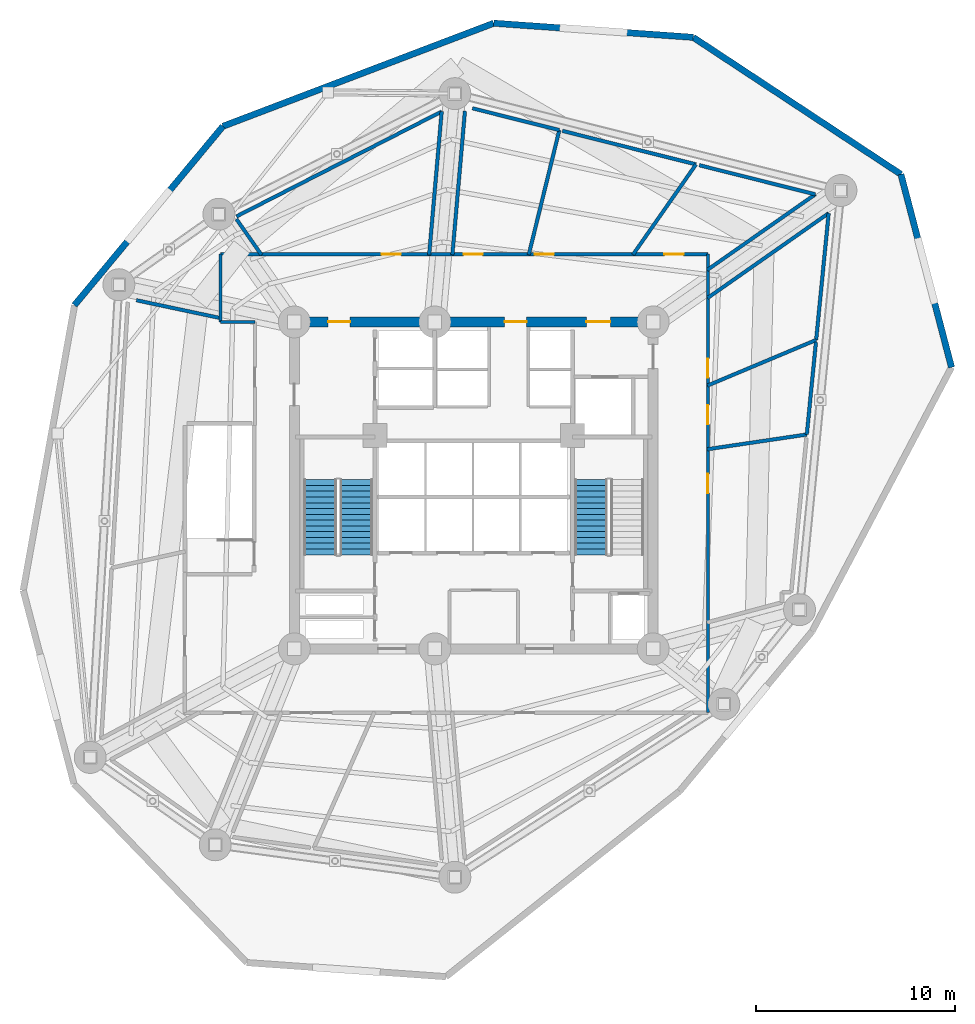
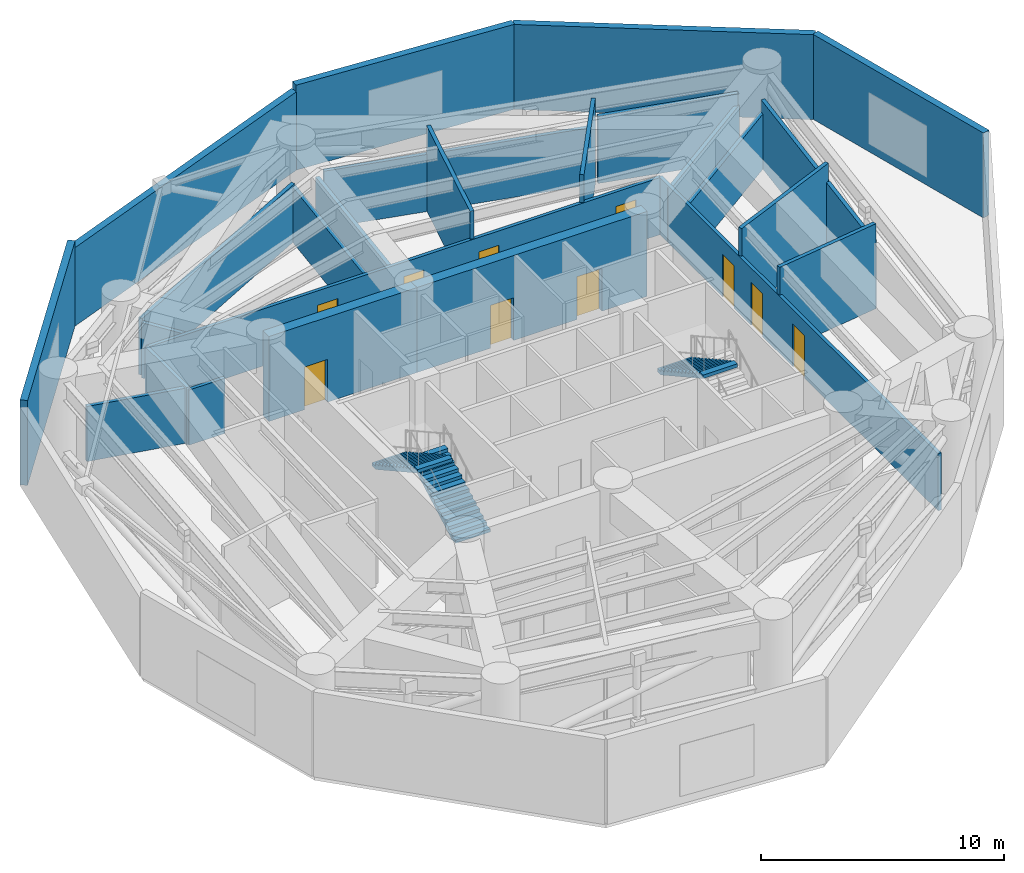
# One storey, part 9 of 13: 27 walls, 10 doors, 3 stair flights, 10 openings, 2 elements without a shape of their own.
"""IFC4 building model written with IfcOpenShell, lengths in metres."""

from ifc_helpers import new_model, si_unit, direction, frame, frame_2d, origin, origin_with_axes, place, context, subcontext, project, spatial, polyline, rectangle, outline, extrude, source, transform, mapped, material, layer, layer_set, type_object, element, fill, aggregate, save


model = new_model("IFC4")

# Units and contexts
model_context = context("Model", 3, precision=1e-05, world=origin(), true_north=direction((0.0, 1.0)))
body_context = subcontext(model_context, "Body", "Model", "MODEL_VIEW")
ifc_project = project(units=[si_unit("LENGTHUNIT", "METRE"), si_unit("AREAUNIT", "SQUARE_METRE"), si_unit("VOLUMEUNIT", "CUBIC_METRE"), si_unit("PLANEANGLEUNIT", "RADIAN"), si_unit("MASSUNIT", "GRAM", prefix="KILO")], contexts=[model_context])

# Site, building, storey
site_placement = place(None, origin())
site = spatial("IfcSite", under=ifc_project, at=site_placement, CompositionType="ELEMENT")
building_placement = place(site_placement, origin())
building = spatial("IfcBuilding", under=site, at=building_placement, Name="Karkom Vertical University and Central Library", CompositionType="ELEMENT")
storey_placement = place(building_placement, frame((0.0, 0.0, 87.699951171875)))
storey = spatial("IfcBuildingStorey", under=building, at=storey_placement, Name="P23", CompositionType="ELEMENT", Elevation=87.699951171875)

# Walls
ifc_material_1 = material(Name="Brick-faced precast concrete C45/55", Category="masonry")
ifc_layer_1 = layer(ifc_material_1, 0.320068359375)
ifc_layer_set_1 = layer_set([ifc_layer_1], Name="Brick-faced precast concrete C45/55")
wall_type_1 = type_object("IfcWallType", Name="ENV-WL-BRK-320", PredefinedType="SOLIDWALL", material=ifc_layer_set_1)
wall_1_placement = place(storey_placement, frame((15.914794921875, 44.517822265625, 0.0), z_axis=(0.0, 0.0, 1.0), x_axis=(-0.638496499315, -0.76962472697, 0.0)))
element("IfcWall", 1, at=wall_1_placement, inside=storey, type_object=wall_type_1, Name="Plant Level 23 Brick-Faced Precast Facade Wall 01", PredefinedType="SOLIDWALL", context=body_context, shape_type="SweptSolid", body=[
    extrude(rectangle(XDim=11.66259765625, YDim=0.320068359375, at=frame_2d((5.831298828125, 0.0))), origin(), (0.0, 0.0, 1.0), 4.275146484375),
])
wall_2_placement = place(storey_placement, frame((52.46826171875, 32.4248046875, 0.0), z_axis=(0.0, 0.0, 1.0), x_axis=(-0.253640865026, 0.96729846045, 0.0)))
element("IfcWall", 2, at=wall_2_placement, inside=storey, type_object=wall_type_1, Name="Plant Level 23 Brick-Faced Precast Facade Wall 09", PredefinedType="SOLIDWALL", context=body_context, shape_type="SweptSolid", body=[
    extrude(rectangle(XDim=10.010498046875, YDim=0.320068359375, at=frame_2d((5.00537109375, 0.0))), origin(), (0.0, 0.0, 1.0), 4.275146484375),
])
wall_3_placement = place(storey_placement, frame((49.92919921875, 42.10791015625, 0.0), z_axis=(0.0, 0.0, 1.0), x_axis=(-0.834787406888, 0.550572416038, 0.0)))
element("IfcWall", 3, at=wall_3_placement, inside=storey, type_object=wall_type_1, Name="Plant Level 23 Brick-Faced Precast Facade Wall 10", PredefinedType="SOLIDWALL", context=body_context, shape_type="SweptSolid", body=[
    extrude(rectangle(XDim=12.482177734375, YDim=0.320068359375, at=frame_2d((6.2412109375, 0.0))), origin(), (0.0, 0.0, 1.0), 4.275146484375),
])
wall_4_placement = place(storey_placement, frame((39.50927734375, 48.980224609375, 0.0), z_axis=(0.0, 0.0, 1.0), x_axis=(-0.997499548158, 0.070672847854, 0.0)))
element("IfcWall", 4, at=wall_4_placement, inside=storey, type_object=wall_type_1, Name="Plant Level 23 Brick-Faced Precast Facade Wall 11", PredefinedType="SOLIDWALL", context=body_context, shape_type="SweptSolid", body=[
    extrude(rectangle(XDim=10.031982421875, YDim=0.320068359375, at=frame_2d((5.01611328125, 0.0))), origin(), (0.0, 0.0, 1.0), 4.275146484375),
])
wall_5_placement = place(storey_placement, frame((29.50244140625, 49.689208984375, 0.0), z_axis=(0.0, 0.0, 1.0), x_axis=(-0.934598887082, -0.355703416156, 0.0)))
element("IfcWall", 5, at=wall_5_placement, inside=storey, type_object=wall_type_1, Name="Plant Level 23 Brick-Faced Precast Facade Wall 12", PredefinedType="SOLIDWALL", context=body_context, shape_type="SweptSolid", body=[
    extrude(rectangle(XDim=14.53857421875, YDim=0.320068359375, at=frame_2d((7.269287109375, 0.0))), origin(), (0.0, 0.0, 1.0), 3.945068359375),
])

# Wall, openings, doors
ifc_material_2 = material(Name="Insulated metal-stud drywall 160mm", Category="gypsum")
ifc_layer_2 = layer(ifc_material_2, 0.159912109375)
ifc_layer_set_2 = layer_set([ifc_layer_2], Name="Insulated metal-stud drywall 160mm")
wall_type_2 = type_object("IfcWallType", Name="INT-WL-COR-160F", PredefinedType="PARTITIONING", material=ifc_layer_set_2)
wall_6_placement = place(storey_placement, frame((15.800048828125, 38.10009765625, 0.0), z_axis=(0.0, 0.0, 1.0), x_axis=(1.0, 0.0, 0.0)))
wall_6 = element("IfcWall", 6, at=wall_6_placement, inside=storey, type_object=wall_type_2, Name="Plant Level 23 Interior Partition Wall P23-PCORW-CW-006", PredefinedType="PARTITIONING", context=body_context, shape_type="SweptSolid", body=[
    extrude(rectangle(XDim=24.449951171875, YDim=0.159912109375, at=frame_2d((12.22509765625, 0.0))), origin(), (0.0, 0.0, 1.0), 2.875),
])
opening_1_placement = place(wall_6_placement, frame((8.08251953125, 0.0, 0.0)))
opening_1 = element("IfcOpeningElement", 7, at=opening_1_placement, cuts=wall_6, Name="Opening FD-RM1", PredefinedType="OPENING", context=body_context, shape_type="SweptSolid", body=[
    extrude(rectangle(XDim=0.9599609375, YDim=2.14990234375, at=frame_2d((0.47998046875, 1.074951171875))), frame((0.0, 0.08984375, 0.0), z_axis=(0.0, -1.0, 0.0), x_axis=(1.0, 0.0, 0.0)), (0.0, 0.0, 1.0), 0.179931640625),
])
opening_2_placement = place(wall_6_placement, frame((22.26708984375, 0.0, 0.0)))
opening_2 = element("IfcOpeningElement", 8, at=opening_2_placement, cuts=wall_6, Name="Opening FD-RM1", PredefinedType="OPENING", context=body_context, shape_type="SweptSolid", body=[
    extrude(rectangle(XDim=0.9599609375, YDim=2.14990234375, at=frame_2d((0.47998046875, 1.074951171875))), frame((0.0, 0.08984375, 0.0), z_axis=(0.0, -1.0, 0.0), x_axis=(1.0, 0.0, 0.0)), (0.0, 0.0, 1.0), 0.179931640625),
])
opening_3_placement = place(wall_6_placement, frame((15.757568359375, 0.0, 0.0)))
opening_3 = element("IfcOpeningElement", 9, at=opening_3_placement, cuts=wall_6, Name="Opening FD-RM1", PredefinedType="OPENING", context=body_context, shape_type="SweptSolid", body=[
    extrude(rectangle(XDim=0.9599609375, YDim=2.14990234375, at=frame_2d((0.47998046875, 1.074951171875))), frame((0.0, 0.08984375, 0.0), z_axis=(0.0, -1.0, 0.0), x_axis=(1.0, 0.0, 0.0)), (0.0, 0.0, 1.0), 0.179931640625),
])
opening_4_placement = place(wall_6_placement, frame((12.18994140625, 0.0, 0.0)))
opening_4 = element("IfcOpeningElement", 10, at=opening_4_placement, cuts=wall_6, Name="Opening FD-RM1", PredefinedType="OPENING", context=body_context, shape_type="SweptSolid", body=[
    extrude(rectangle(XDim=0.9599609375, YDim=2.14990234375, at=frame_2d((0.47998046875, 1.074951171875))), frame((0.0, 0.08984375, 0.0), z_axis=(0.0, -1.0, 0.0), x_axis=(1.0, 0.0, 0.0)), (0.0, 0.0, 1.0), 0.179931640625),
])
ifc_material_3 = material(Name="Fire-rated oak veneer door", Category="wood")
door_type_1 = type_object("IfcDoorType", Name="INT-DR-FRM1", OperationType="NOTDEFINED", PredefinedType="DOOR", material=ifc_material_3)
shared_shape_1 = source(origin_with_axes(), body_context, "Body", "SweptSolid", [
    extrude(rectangle(XDim=0.9599609375, YDim=2.14990234375, at=frame_2d((0.47998046875, 1.074951171875))), frame((0.0, 0.02490234375, 0.0), z_axis=(0.0, -1.0, 0.0), x_axis=(1.0, 0.0, 0.0)), (0.0, 0.0, 1.0), 0.050048828125),
])
door_1_placement = place(opening_1_placement, origin())
door_1 = element("IfcDoor", 11, at=door_1_placement, inside=storey, type_object=door_type_1, Name="Plant Level 23 Room Entry Door 711", OperationType="SINGLE_SWING_RIGHT", OverallHeight=2.14990234375, OverallWidth=0.9599609375, PredefinedType="DOOR", context=body_context, shape_type="MappedRepresentation", body=[
    mapped(shared_shape_1, transform((0.0, 0.0, 0.0), scale=1.0)),
])
fill(opening_1, door_1)
door_2_placement = place(opening_2_placement, origin())
door_2 = element("IfcDoor", 12, at=door_2_placement, inside=storey, type_object=door_type_1, Name="Plant Level 23 Room Entry Door 708", OperationType="SINGLE_SWING_LEFT", OverallHeight=2.14990234375, OverallWidth=0.9599609375, PredefinedType="DOOR", context=body_context, shape_type="MappedRepresentation", body=[
    mapped(shared_shape_1, transform((0.0, 0.0, 0.0), scale=1.0)),
])
fill(opening_2, door_2)
door_3_placement = place(opening_3_placement, origin())
door_3 = element("IfcDoor", 13, at=door_3_placement, inside=storey, type_object=door_type_1, Name="Plant Level 23 Room Entry Door 709", OperationType="SINGLE_SWING_RIGHT", OverallHeight=2.14990234375, OverallWidth=0.9599609375, PredefinedType="DOOR", context=body_context, shape_type="MappedRepresentation", body=[
    mapped(shared_shape_1, transform((0.0, 0.0, 0.0), scale=1.0)),
])
fill(opening_3, door_3)
door_4_placement = place(opening_4_placement, origin())
door_4 = element("IfcDoor", 14, at=door_4_placement, inside=storey, type_object=door_type_1, Name="Plant Level 23 Room Entry Door 710", OperationType="SINGLE_SWING_LEFT", OverallHeight=2.14990234375, OverallWidth=0.9599609375, PredefinedType="DOOR", context=body_context, shape_type="MappedRepresentation", body=[
    mapped(shared_shape_1, transform((0.0, 0.0, 0.0), scale=1.0)),
])
fill(opening_4, door_4)

wall_7_placement = place(storey_placement, frame((40.25, 38.10009765625, 0.0), z_axis=(0.0, 0.0, 1.0), x_axis=(0.0, -1.0, 0.0)))
wall_7 = element("IfcWall", 15, at=wall_7_placement, inside=storey, type_object=wall_type_2, Name="Plant Level 23 Interior Partition Wall P23-PCORW-CW-007", PredefinedType="PARTITIONING", context=body_context, shape_type="SweptSolid", body=[
    extrude(rectangle(XDim=23.0, YDim=0.159912109375, at=frame_2d((11.5, 0.0))), origin(), (0.0, 0.0, 1.0), 2.875),
])
opening_5_placement = place(wall_7_placement, frame((11.02490234375, 0.0, 0.0)))
opening_5 = element("IfcOpeningElement", 16, at=opening_5_placement, cuts=wall_7, Name="Opening FD-RM1", PredefinedType="OPENING", context=body_context, shape_type="SweptSolid", body=[
    extrude(rectangle(XDim=0.9599609375, YDim=2.14990234375, at=frame_2d((0.47998046875, 1.074951171875))), frame((0.0, 0.08984375, 0.0), z_axis=(0.0, -1.0, 0.0), x_axis=(1.0, 0.0, 0.0)), (0.0, 0.0, 1.0), 0.179931640625),
])
opening_6_placement = place(wall_7_placement, frame((7.574951171875, 0.0, 0.0)))
opening_6 = element("IfcOpeningElement", 17, at=opening_6_placement, cuts=wall_7, Name="Opening FD-RM1", PredefinedType="OPENING", context=body_context, shape_type="SweptSolid", body=[
    extrude(rectangle(XDim=0.9599609375, YDim=2.14990234375, at=frame_2d((0.47998046875, 1.074951171875))), frame((0.0, 0.08984375, 0.0), z_axis=(0.0, -1.0, 0.0), x_axis=(1.0, 0.0, 0.0)), (0.0, 0.0, 1.0), 0.179931640625),
])
opening_7_placement = place(wall_7_placement, frame((5.235107421875, 0.0, 0.0)))
opening_7 = element("IfcOpeningElement", 18, at=opening_7_placement, cuts=wall_7, Name="Opening FD-RM1", PredefinedType="OPENING", context=body_context, shape_type="SweptSolid", body=[
    extrude(rectangle(XDim=0.9599609375, YDim=2.14990234375, at=frame_2d((0.47998046875, 1.074951171875))), frame((0.0, 0.08984375, 0.0), z_axis=(0.0, -1.0, 0.0), x_axis=(1.0, 0.0, 0.0)), (0.0, 0.0, 1.0), 0.179931640625),
])
door_5_placement = place(opening_5_placement, origin())
door_5 = element("IfcDoor", 19, at=door_5_placement, inside=storey, type_object=door_type_1, Name="Plant Level 23 Room Entry Door 705", OperationType="SINGLE_SWING_RIGHT", OverallHeight=2.14990234375, OverallWidth=0.9599609375, PredefinedType="DOOR", context=body_context, shape_type="MappedRepresentation", body=[
    mapped(shared_shape_1, transform((0.0, 0.0, 0.0), scale=1.0)),
])
fill(opening_5, door_5)
door_6_placement = place(opening_6_placement, origin())
door_6 = element("IfcDoor", 20, at=door_6_placement, inside=storey, type_object=door_type_1, Name="Plant Level 23 Room Entry Door 706", OperationType="SINGLE_SWING_LEFT", OverallHeight=2.14990234375, OverallWidth=0.9599609375, PredefinedType="DOOR", context=body_context, shape_type="MappedRepresentation", body=[
    mapped(shared_shape_1, transform((0.0, 0.0, 0.0), scale=1.0)),
])
fill(opening_6, door_6)
door_7_placement = place(opening_7_placement, origin())
door_7 = element("IfcDoor", 21, at=door_7_placement, inside=storey, type_object=door_type_1, Name="Plant Level 23 Room Entry Door 707", OperationType="SINGLE_SWING_RIGHT", OverallHeight=2.14990234375, OverallWidth=0.9599609375, PredefinedType="DOOR", context=body_context, shape_type="MappedRepresentation", body=[
    mapped(shared_shape_1, transform((0.0, 0.0, 0.0), scale=1.0)),
])
fill(opening_7, door_7)

# Walls
wall_8_placement = place(storey_placement, frame((15.800048828125, 34.699951171875, 0.0), z_axis=(0.0, 0.0, 1.0), x_axis=(0.0, 1.0, 0.0)))
element("IfcWall", 22, at=wall_8_placement, inside=storey, type_object=wall_type_2, Name="Plant Level 23 Interior Partition Wall P23-PCORW-CW-005", PredefinedType="PARTITIONING", context=body_context, shape_type="SweptSolid", body=[
    extrude(rectangle(XDim=3.400146484375, YDim=0.159912109375, at=frame_2d((1.7001953125, 0.0))), origin(), (0.0, 0.0, 1.0), 2.875),
])
wall_9_placement = place(storey_placement, frame((17.52001953125, 34.699951171875, 0.0), z_axis=(0.0, 0.0, 1.0), x_axis=(-1.0, 0.0, 0.0)))
element("IfcWall", 23, at=wall_9_placement, inside=storey, type_object=wall_type_2, Name="Plant Level 23 Interior Partition Wall P23-PCORW-CW-004", PredefinedType="PARTITIONING", context=body_context, shape_type="SweptSolid", body=[
    extrude(rectangle(XDim=1.719970703125, YDim=0.159912109375, at=frame_2d((0.85986328125, 0.0))), origin(), (0.0, 0.0, 1.0), 2.775146484375),
])
ifc_material_4 = material(Name="Twin-stud acoustic drywall 180mm", Category="gypsum")
ifc_layer_3 = layer(ifc_material_4, 0.179931640625)
ifc_layer_set_3 = layer_set([ifc_layer_3], Name="Twin-stud acoustic drywall 180mm")
wall_type_3 = type_object("IfcWallType", Name="INT-WL-TEN-180F", PredefinedType="PARTITIONING", material=ifc_layer_set_3)
wall_10_placement = place(storey_placement, frame((16.593994140625, 39.994140625, 0.0), z_axis=(0.0, 0.0, 1.0), x_axis=(0.890452933606, 0.455075348742, 0.0)))
element("IfcWall", 24, at=wall_10_placement, inside=storey, type_object=wall_type_3, Name="Plant Level 23 Interior Partition Wall P23-PLCHW-037", PredefinedType="PARTITIONING", context=body_context, shape_type="SweptSolid", body=[
    extrude(rectangle(XDim=11.56396484375, YDim=0.179931640625, at=frame_2d((5.781982421875, 0.0))), origin(), (0.0, 0.0, 1.0), 2.875),
])
wall_11_placement = place(storey_placement, frame((40.225341796875, 35.900390625, 0.0), z_axis=(0.0, 0.0, 1.0), x_axis=(0.819160824873, 0.573563896173, 0.0)))
element("IfcWall", 25, at=wall_11_placement, inside=storey, type_object=wall_type_3, Name="Plant Level 23 Interior Partition Wall P23-PLCHW-026", PredefinedType="PARTITIONING", context=body_context, shape_type="SweptSolid", body=[
    extrude(rectangle(XDim=7.421630859375, YDim=0.179931640625, at=frame_2d((3.7109375, 0.0))), origin(), (0.0, 0.0, 1.0), 2.775146484375),
])
wall_12_placement = place(storey_placement, frame((27.427001953125, 38.070068359375, 0.0), z_axis=(0.0, 0.0, 1.0), x_axis=(0.087114612943, 0.996198295628, 0.0)))
element("IfcWall", 26, at=wall_12_placement, inside=storey, type_object=wall_type_3, Name="Plant Level 23 Interior Partition Wall P23-PLCHW-035", PredefinedType="PARTITIONING", context=body_context, shape_type="SweptSolid", body=[
    extrude(rectangle(XDim=7.2333984375, YDim=0.179931640625, at=frame_2d((3.61669921875, 0.0))), origin(), (0.0, 0.0, 1.0), 2.775146484375),
])
wall_13_placement = place(storey_placement, frame((26.89111328125, 45.256591796875, 0.0), z_axis=(0.0, 0.0, 1.0), x_axis=(-0.087133852983, -0.996196612956, 0.0)))
element("IfcWall", 27, at=wall_13_placement, inside=storey, type_object=wall_type_3, Name="Plant Level 23 Interior Partition Wall P23-PLCHW-038", PredefinedType="PARTITIONING", context=body_context, shape_type="SweptSolid", body=[
    extrude(rectangle(XDim=7.22900390625, YDim=0.179931640625, at=frame_2d((3.614501953125, 0.0))), origin(), (0.0, 0.0, 1.0), 2.775146484375),
])
wall_14_placement = place(storey_placement, frame((32.948486328125, 44.286376953125, 0.0), z_axis=(0.0, 0.0, 1.0), x_axis=(0.969930091921, -0.243383682251, 0.0)))
element("IfcWall", 28, at=wall_14_placement, inside=storey, type_object=wall_type_3, Name="Plant Level 23 Interior Partition Wall P23-PLCHW-031", PredefinedType="PARTITIONING", context=body_context, shape_type="SweptSolid", body=[
    extrude(rectangle(XDim=6.908447265625, YDim=0.179931640625, at=frame_2d((3.4541015625, 0.0))), origin(), (0.0, 0.0, 1.0), 2.875),
])
wall_15_placement = place(storey_placement, frame((45.633544921875, 41.103271484375, 0.0), z_axis=(0.0, 0.0, 1.0), x_axis=(-0.819152178868, -0.573576244153, 0.0)))
element("IfcWall", 29, at=wall_15_placement, inside=storey, type_object=wall_type_3, Name="Plant Level 23 Interior Partition Wall P23-PLCHW-029", PredefinedType="PARTITIONING", context=body_context, shape_type="SweptSolid", body=[
    extrude(rectangle(XDim=6.6171875, YDim=0.179931640625, at=frame_2d((3.30859375, 0.0))), origin(), (0.0, 0.0, 1.0), 2.775146484375),
])
wall_16_placement = place(storey_placement, frame((32.793212890625, 44.3251953125, 0.0), z_axis=(0.0, 0.0, 1.0), x_axis=(-0.238376702806, -0.971172769161, 0.0)))
element("IfcWall", 30, at=wall_16_placement, inside=storey, type_object=wall_type_3, Name="Plant Level 23 Interior Partition Wall P23-PLCHW-034", PredefinedType="PARTITIONING", context=body_context, shape_type="SweptSolid", body=[
    extrude(rectangle(XDim=6.43994140625, YDim=0.179931640625, at=frame_2d((3.219970703125, 0.0))), origin(), (0.0, 0.0, 1.0), 4.275146484375),
])
wall_17_placement = place(storey_placement, frame((46.304931640625, 40.1572265625, 0.0), z_axis=(0.0, 0.0, 1.0), x_axis=(-0.098376435039, -0.995149273742, 0.0)))
element("IfcWall", 31, at=wall_17_placement, inside=storey, type_object=wall_type_3, Name="Plant Level 23 Interior Partition Wall P23-PLCHW-024", PredefinedType="PARTITIONING", context=body_context, shape_type="SweptSolid", body=[
    extrude(rectangle(XDim=6.390380859375, YDim=0.179931640625, at=frame_2d((3.1953125, 0.0))), origin(), (0.0, 0.0, 1.0), 3.375),
])
wall_18_placement = place(storey_placement, frame((39.815185546875, 42.563232421875, 0.0), z_axis=(0.0, 0.0, 1.0), x_axis=(0.969931458511, -0.243378236065, 0.0)))
element("IfcWall", 32, at=wall_18_placement, inside=storey, type_object=wall_type_3, Name="Plant Level 23 Interior Partition Wall P23-PLCHW-028", PredefinedType="PARTITIONING", context=body_context, shape_type="SweptSolid", body=[
    extrude(rectangle(XDim=5.998779296875, YDim=0.179931640625, at=frame_2d((2.99951171875, 0.0))), origin(), (0.0, 0.0, 1.0), 3.375),
])
wall_19_placement = place(storey_placement, frame((45.67626953125, 33.7978515625, 0.0), z_axis=(0.0, 0.0, 1.0), x_axis=(-0.922031905303, -0.387113892289, 0.0)))
element("IfcWall", 33, at=wall_19_placement, inside=storey, type_object=wall_type_3, Name="Plant Level 23 Interior Partition Wall P23-PLCHW-025", PredefinedType="PARTITIONING", context=body_context, shape_type="SweptSolid", body=[
    extrude(rectangle(XDim=5.9150390625, YDim=0.179931640625, at=frame_2d((2.95751953125, 0.0))), origin(), (0.0, 0.0, 1.0), 4.275146484375),
])
wall_20_placement = place(storey_placement, frame((39.649169921875, 42.60498046875, 0.0), z_axis=(0.0, 0.0, 1.0), x_axis=(-0.572539603356, -0.819877065534, 0.0)))
element("IfcWall", 34, at=wall_20_placement, inside=storey, type_object=wall_type_3, Name="Plant Level 23 Interior Partition Wall P23-PLCHW-032", PredefinedType="PARTITIONING", context=body_context, shape_type="SweptSolid", body=[
    extrude(rectangle(XDim=5.524658203125, YDim=0.179931640625, at=frame_2d((2.76220703125, 0.0))), origin(), (0.0, 0.0, 1.0), 4.275146484375),
])
wall_21_placement = place(storey_placement, frame((45.207275390625, 29.0546875, 0.0), z_axis=(0.0, 0.0, 1.0), x_axis=(-0.989218234531, -0.146448914206, 0.0)))
element("IfcWall", 35, at=wall_21_placement, inside=storey, type_object=wall_type_3, Name="Plant Level 23 Interior Partition Wall P23-PLCHW-021", PredefinedType="PARTITIONING", context=body_context, shape_type="SweptSolid", body=[
    extrude(rectangle(XDim=5.05615234375, YDim=0.179931640625, at=frame_2d((2.528076171875, 0.0))), origin(), (0.0, 0.0, 1.0), 4.275146484375),
])
wall_22_placement = place(storey_placement, frame((45.66552734375, 33.688720703125, 0.0), z_axis=(0.0, 0.0, 1.0), x_axis=(-0.098408369439, -0.995146116319, 0.0)))
element("IfcWall", 36, at=wall_22_placement, inside=storey, type_object=wall_type_3, Name="Plant Level 23 Interior Partition Wall P23-PLCHW-023", PredefinedType="PARTITIONING", context=body_context, shape_type="SweptSolid", body=[
    extrude(rectangle(XDim=4.65673828125, YDim=0.179931640625, at=frame_2d((2.328369140625, 0.0))), origin(), (0.0, 0.0, 1.0), 3.375),
])
wall_23_placement = place(storey_placement, frame((28.431884765625, 45.419677734375, 0.0), z_axis=(0.0, 0.0, 1.0), x_axis=(0.969924931408, -0.243404246949, 0.0)))
element("IfcWall", 37, at=wall_23_placement, inside=storey, type_object=wall_type_3, Name="Plant Level 23 Interior Partition Wall P23-PLCHW-033", PredefinedType="PARTITIONING", context=body_context, shape_type="SweptSolid", body=[
    extrude(rectangle(XDim=4.49658203125, YDim=0.179931640625, at=frame_2d((2.248291015625, 0.0))), origin(), (0.0, 0.0, 1.0), 2.875),
])
wall_24_placement = place(storey_placement, frame((11.576904296875, 35.791015625, 0.0), z_axis=(0.0, 0.0, 1.0), x_axis=(0.978151143178, -0.20789502423, 0.0)))
element("IfcWall", 38, at=wall_24_placement, inside=storey, type_object=wall_type_3, Name="Plant Level 23 Interior Partition Wall P23-PLCHW-041", PredefinedType="PARTITIONING", context=body_context, shape_type="SweptSolid", body=[
    extrude(rectangle(XDim=4.347412109375, YDim=0.179931640625, at=frame_2d((2.173828125, 0.0))), origin(), (0.0, 0.0, 1.0), 2.775146484375),
])
wall_25_placement = place(storey_placement, frame((17.852783203125, 38.06298828125, 0.0), z_axis=(0.0, 0.0, 1.0), x_axis=(-0.573604197983, 0.819132604684, 0.0)))
element("IfcWall", 39, at=wall_25_placement, inside=storey, type_object=wall_type_3, Name="Plant Level 23 Interior Partition Wall P23-PLCHW-036", PredefinedType="PARTITIONING", context=body_context, shape_type="SweptSolid", body=[
    extrude(rectangle(XDim=2.194580078125, YDim=0.179931640625, at=frame_2d((1.09716796875, 0.0))), origin(), (0.0, 0.0, 1.0), 2.775146484375),
])

# Wall, openings, doors
ifc_material_5 = material(Name="Concrete C50/60", Category="concrete")
ifc_layer_4 = layer(ifc_material_5, 0.5)
ifc_layer_set_4 = layer_set([ifc_layer_4], Name="Concrete C50/60")
wall_type_4 = type_object("IfcWallType", Name="STR-WL-CW-500", PredefinedType="SHEAR", material=ifc_layer_set_4)
wall_26_placement = place(storey_placement, frame((37.5, 34.699951171875, 0.0), z_axis=(0.0, 0.0, 1.0), x_axis=(-1.0, 0.0, 0.0)))
wall_26 = element("IfcWall", 40, at=wall_26_placement, inside=storey, type_object=wall_type_4, Name="Plant Level 23 Central Core Shear Wall NW1", PredefinedType="SHEAR", context=body_context, shape_type="SweptSolid", body=[
    extrude(rectangle(XDim=10.949951171875, YDim=0.5, at=frame_2d((5.47509765625, 0.0))), origin(), (0.0, 0.0, 1.0), 4.275146484375),
])
opening_8_placement = place(wall_26_placement, frame((2.14990234375, 0.0, 0.0)))
opening_8 = element("IfcOpeningElement", 41, at=opening_8_placement, cuts=wall_26, Name="Opening FD-SUB1", PredefinedType="OPENING", context=body_context, shape_type="SweptSolid", body=[
    extrude(rectangle(XDim=1.199951171875, YDim=2.14990234375, at=frame_2d((0.60009765625, 1.074951171875))), frame((0.0, 0.260009765625, 0.0), z_axis=(0.0, -1.0, 0.0), x_axis=(1.0, 0.0, 0.0)), (0.0, 0.0, 1.0), 0.52001953125),
])
opening_9_placement = place(wall_26_placement, frame((6.35009765625, 0.0, 0.0)))
opening_9 = element("IfcOpeningElement", 42, at=opening_9_placement, cuts=wall_26, Name="Opening FD-FFL", PredefinedType="OPENING", context=body_context, shape_type="SweptSolid", body=[
    extrude(rectangle(XDim=1.10009765625, YDim=2.14990234375, at=frame_2d((0.550048828125, 1.074951171875))), frame((0.0, 0.260009765625, 0.0), z_axis=(0.0, -1.0, 0.0), x_axis=(1.0, 0.0, 0.0)), (0.0, 0.0, 1.0), 0.52001953125),
])
ifc_material_6 = material(Name="Painted steel smoke-seal fire door", Category="steel")
door_type_2 = type_object("IfcDoorType", Name="INT-DR-FFL", OperationType="NOTDEFINED", PredefinedType="DOOR", material=ifc_material_6)
shared_shape_2 = source(origin_with_axes(), body_context, "Body", "SweptSolid", [
    extrude(rectangle(XDim=1.10009765625, YDim=2.14990234375, at=frame_2d((0.550048828125, 1.074951171875))), frame((0.0, 0.02490234375, 0.0), z_axis=(0.0, -1.0, 0.0), x_axis=(1.0, 0.0, 0.0)), (0.0, 0.0, 1.0), 0.050048828125),
])
door_8_placement = place(opening_9_placement, origin())
door_8 = element("IfcDoor", 43, at=door_8_placement, inside=storey, type_object=door_type_2, Name="Plant Level 23 North Core Lobby Exit Door", OperationType="SINGLE_SWING_LEFT", OverallHeight=2.14990234375, OverallWidth=1.10009765625, PredefinedType="DOOR", context=body_context, shape_type="MappedRepresentation", body=[
    mapped(shared_shape_2, transform((0.0, 0.0, 0.0), scale=1.0)),
])
fill(opening_9, door_8)
ifc_material_7 = material(Name="Painted steel fire door", Category="steel")
door_type_3 = type_object("IfcDoorType", Name="INT-DR-SUB1", OperationType="NOTDEFINED", PredefinedType="DOOR", material=ifc_material_7)
shared_shape_3 = source(origin_with_axes(), body_context, "Body", "SweptSolid", [
    extrude(rectangle(XDim=1.199951171875, YDim=2.14990234375, at=frame_2d((0.60009765625, 1.074951171875))), frame((0.0, 0.02490234375, 0.0), z_axis=(0.0, -1.0, 0.0), x_axis=(1.0, 0.0, 0.0)), (0.0, 0.0, 1.0), 0.050048828125),
])
door_9_placement = place(opening_8_placement, origin())
door_9 = element("IfcDoor", 44, at=door_9_placement, inside=storey, type_object=door_type_3, Name="Plant Level 23 Service Lobby Fire Door", OperationType="SINGLE_SWING_RIGHT", OverallHeight=2.14990234375, OverallWidth=1.199951171875, PredefinedType="DOOR", context=body_context, shape_type="MappedRepresentation", body=[
    mapped(shared_shape_3, transform((0.0, 0.0, 0.0), scale=1.0)),
])
fill(opening_8, door_9)

# Wall, opening, door
wall_27_placement = place(storey_placement, frame((26.550048828125, 34.699951171875, 0.0), z_axis=(0.0, 0.0, 1.0), x_axis=(-1.0, 0.0, 0.0)))
wall_27 = element("IfcWall", 45, at=wall_27_placement, inside=storey, type_object=wall_type_4, Name="Plant Level 23 Central Core Shear Wall NW2", PredefinedType="SHEAR", context=body_context, shape_type="SweptSolid", body=[
    extrude(rectangle(XDim=7.050048828125, YDim=0.5, at=frame_2d((3.52490234375, 0.0))), origin(), (0.0, 0.0, 1.0), 4.275146484375),
])
opening_10_placement = place(wall_27_placement, frame((4.25, 0.0, 0.0)))
opening_10 = element("IfcOpeningElement", 46, at=opening_10_placement, cuts=wall_27, Name="Opening FD-FFL", PredefinedType="OPENING", context=body_context, shape_type="SweptSolid", body=[
    extrude(rectangle(XDim=1.10009765625, YDim=2.14990234375, at=frame_2d((0.550048828125, 1.074951171875))), frame((0.0, 0.260009765625, 0.0), z_axis=(0.0, -1.0, 0.0), x_axis=(1.0, 0.0, 0.0)), (0.0, 0.0, 1.0), 0.52001953125),
])
door_10_placement = place(opening_10_placement, origin())
door_10 = element("IfcDoor", 47, at=door_10_placement, inside=storey, type_object=door_type_2, Name="Plant Level 23 Firefighting Lobby Door", OperationType="SINGLE_SWING_LEFT", OverallHeight=2.14990234375, OverallWidth=1.10009765625, PredefinedType="DOOR", context=body_context, shape_type="MappedRepresentation", body=[
    mapped(shared_shape_2, transform((0.0, 0.0, 0.0), scale=1.0)),
])
fill(opening_10, door_10)

# Stair, stair flights
ifc_material_8 = material(Name="Concrete C45/55", Category="concrete")
stair_type = type_object("IfcStairType", Name="INT-STR-ST-MAIN", PredefinedType="HALF_TURN_STAIR", material=ifc_material_8)
stair_1_placement = place(storey_placement, origin())
stair_1 = element("IfcStair", 48, at=stair_1_placement, inside=storey, type_object=stair_type, Name="Plant Level 23 Tower Protected Exit Stair ST-1", PredefinedType="HALF_TURN_STAIR")
stair_flight_type = type_object("IfcStairFlightType", Name="INT-SFL-ST-MAIN", PredefinedType="STRAIGHT", material=ifc_material_8)
stair_flight_1_placement = place(storey_placement, frame((22.614990234375, 23.02001953125, 0.0), z_axis=(0.0, 0.0, 1.0), x_axis=(0.0, 1.0, 0.0)))
stair_flight_1 = element("IfcStairFlight", 49, at=stair_flight_1_placement, type_object=stair_flight_type, Name="ST-1 flight 1", NumberOfRisers=14, NumberOfTreads=13, PredefinedType="STRAIGHT", RiserHeight=0.160714286, TreadLength=0.29, context=body_context, shape_type="SweptSolid", body=[
    extrude(outline(polyline([(0.0, 0.0), (0.0, 0.16064453125), (0.2900390625, 0.16064453125), (0.2900390625, 0.321533203125), (0.580078125, 0.321533203125), (0.580078125, 0.482177734375), (0.8701171875, 0.482177734375), (0.8701171875, 0.642822265625), (1.159912109375, 0.642822265625), (1.159912109375, 0.803466796875), (1.449951171875, 0.803466796875), (1.449951171875, 0.96435546875), (1.739990234375, 0.96435546875), (1.739990234375, 1.125), (2.030029296875, 1.125), (2.030029296875, 1.28564453125), (2.320068359375, 1.28564453125), (2.320068359375, 1.446533203125), (2.610107421875, 1.446533203125), (2.610107421875, 1.607177734375), (2.89990234375, 1.607177734375), (2.89990234375, 1.767822265625), (3.18994140625, 1.767822265625), (3.18994140625, 1.928466796875), (3.47998046875, 1.928466796875), (3.47998046875, 2.08935546875), (3.77001953125, 2.08935546875), (3.77001953125, 2.25), (3.77001953125, 1.91796875), (0.309326171875, 0.0), (0.0, 0.0)])), frame((0.0, 0.824951171875, 0.0), z_axis=(0.0, -1.0, 0.0), x_axis=(1.0, 0.0, 0.0)), (0.0, 0.0, 1.0), 1.64990234375),
])
stair_flight_2_placement = place(storey_placement, frame((20.804931640625, 26.7900390625, 2.25), z_axis=(0.0, 0.0, 1.0), x_axis=(0.0, -1.0, 0.0)))
stair_flight_2 = element("IfcStairFlight", 50, at=stair_flight_2_placement, type_object=stair_flight_type, Name="ST-1 flight 2", NumberOfRisers=14, NumberOfTreads=13, PredefinedType="STRAIGHT", RiserHeight=0.160714286, TreadLength=0.29, context=body_context, shape_type="SweptSolid", body=[
    extrude(outline(polyline([(0.0, 0.0), (0.0, 0.16064453125), (0.2900390625, 0.16064453125), (0.2900390625, 0.321533203125), (0.580078125, 0.321533203125), (0.580078125, 0.482177734375), (0.8701171875, 0.482177734375), (0.8701171875, 0.642822265625), (1.159912109375, 0.642822265625), (1.159912109375, 0.803466796875), (1.449951171875, 0.803466796875), (1.449951171875, 0.96435546875), (1.739990234375, 0.96435546875), (1.739990234375, 1.125), (2.030029296875, 1.125), (2.030029296875, 1.28564453125), (2.320068359375, 1.28564453125), (2.320068359375, 1.446533203125), (2.610107421875, 1.446533203125), (2.610107421875, 1.607177734375), (2.89990234375, 1.607177734375), (2.89990234375, 1.767822265625), (3.18994140625, 1.767822265625), (3.18994140625, 1.928466796875), (3.47998046875, 1.928466796875), (3.47998046875, 2.08935546875), (3.77001953125, 2.08935546875), (3.77001953125, 2.25), (3.77001953125, 1.91796875), (0.309326171875, 0.0), (0.0, 0.0)])), frame((0.0, 0.824951171875, 0.0), z_axis=(0.0, -1.0, 0.0), x_axis=(1.0, 0.0, 0.0)), (0.0, 0.0, 1.0), 1.64990234375),
])
aggregate(stair_1, [stair_flight_1, stair_flight_2])

# Stair, stair flight
stair_2_placement = place(storey_placement, origin())
stair_2 = element("IfcStair", 51, at=stair_2_placement, inside=storey, type_object=stair_type, Name="Plant Level 23 Tower Protected Exit Stair ST-2", PredefinedType="HALF_TURN_STAIR")
stair_flight_3_placement = place(storey_placement, frame((34.385009765625, 26.7900390625, 2.25), z_axis=(0.0, 0.0, 1.0), x_axis=(0.0, -1.0, 0.0)))
stair_flight_3 = element("IfcStairFlight", 52, at=stair_flight_3_placement, type_object=stair_flight_type, Name="ST-2 flight 2", NumberOfRisers=14, NumberOfTreads=13, PredefinedType="STRAIGHT", RiserHeight=0.160714286, TreadLength=0.29, context=body_context, shape_type="SweptSolid", body=[
    extrude(outline(polyline([(0.0, 0.0), (0.0, 0.16064453125), (0.2900390625, 0.16064453125), (0.2900390625, 0.321533203125), (0.580078125, 0.321533203125), (0.580078125, 0.482177734375), (0.8701171875, 0.482177734375), (0.8701171875, 0.642822265625), (1.159912109375, 0.642822265625), (1.159912109375, 0.803466796875), (1.449951171875, 0.803466796875), (1.449951171875, 0.96435546875), (1.739990234375, 0.96435546875), (1.739990234375, 1.125), (2.030029296875, 1.125), (2.030029296875, 1.28564453125), (2.320068359375, 1.28564453125), (2.320068359375, 1.446533203125), (2.610107421875, 1.446533203125), (2.610107421875, 1.607177734375), (2.89990234375, 1.607177734375), (2.89990234375, 1.767822265625), (3.18994140625, 1.767822265625), (3.18994140625, 1.928466796875), (3.47998046875, 1.928466796875), (3.47998046875, 2.08935546875), (3.77001953125, 2.08935546875), (3.77001953125, 2.25), (3.77001953125, 1.91796875), (0.309326171875, 0.0), (0.0, 0.0)])), frame((0.0, 0.824951171875, 0.0), z_axis=(0.0, -1.0, 0.0), x_axis=(1.0, 0.0, 0.0)), (0.0, 0.0, 1.0), 1.64990234375),
])
aggregate(stair_2, [stair_flight_3])

save(model, "model.ifc")
